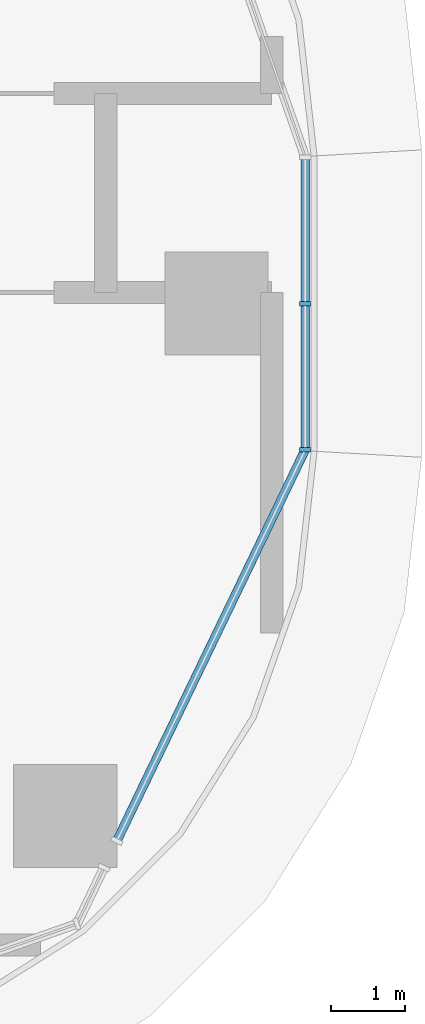
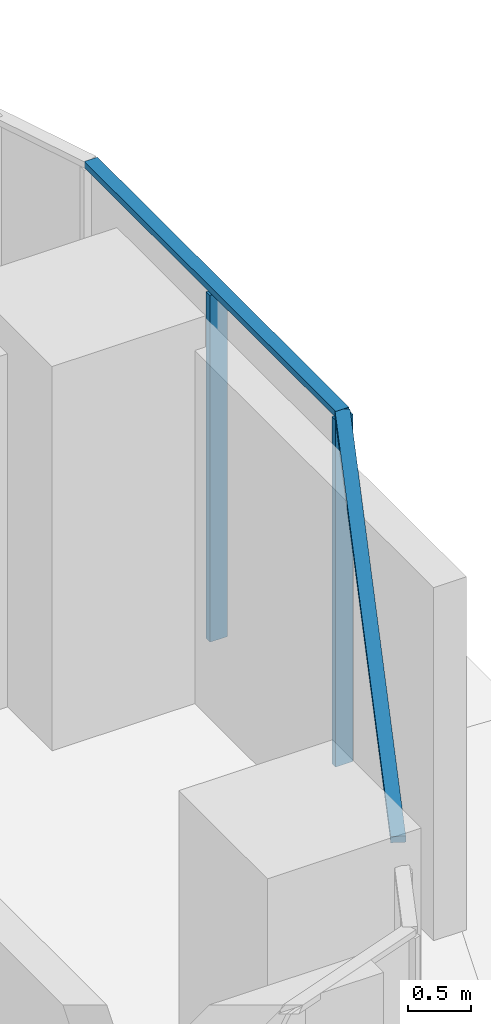
# One storey, part 7 of 39: 4 members, 2 elements without a shape of their own.
"""IFC4 building model written with IfcOpenShell, lengths in metres."""

from ifc_helpers import new_model, si_unit, direction, frame, origin, origin_2d, place, context, subcontext, project, spatial, rectangle, extrude, material, material_profile, profile_set, type_object, element, aggregate, save


model = new_model("IFC4")

# Units and contexts
model_context = context("Model", 3, precision=1e-05, world=origin(), true_north=direction((0.0, 1.0)))
body_context = subcontext(model_context, "Body", "Model", "MODEL_VIEW")
ifc_project = project(units=[si_unit("LENGTHUNIT", "METRE"), si_unit("AREAUNIT", "SQUARE_METRE"), si_unit("VOLUMEUNIT", "CUBIC_METRE"), si_unit("PLANEANGLEUNIT", "RADIAN"), si_unit("MASSUNIT", "GRAM", prefix="KILO")], contexts=[model_context])

# Site, building, storey
site_placement = place(None, origin())
site = spatial("IfcSite", under=ifc_project, at=site_placement, CompositionType="ELEMENT")
building_placement = place(site_placement, origin())
building = spatial("IfcBuilding", under=site, at=building_placement, Name="Ogive Portal Towers", CompositionType="ELEMENT")
storey_placement = place(building_placement, frame((0.0, 0.0, 44.60009765625)))
storey = spatial("IfcBuildingStorey", under=building, at=storey_placement, Name="L09", CompositionType="ELEMENT", Elevation=44.60009765625)

# Curtain wall, members
ifc_material_1 = material(Name="Glass, clear low-iron insulated glazing", Category="glass")
curtain_wall_type = type_object("IfcCurtainWallType", Name="CW FRONT RIBBON 4500", PredefinedType="NOTDEFINED", material=ifc_material_1)
curtain_wall_1_placement = place(storey_placement, origin())
curtain_wall_1 = element("IfcCurtainWall", 1, at=curtain_wall_1_placement, inside=storey, type_object=curtain_wall_type, Name="A:L09:f08:cw0", PredefinedType="NOTDEFINED")
ifc_material_2 = material(Name="Aluminium 6063 anodised", Category="aluminium")
ifc_material_profile_1 = material_profile(ifc_material_2, rectangle(XDim=0.159912109375, YDim=0.06005859375, at=origin_2d()), Name="AL 60x160")
ifc_profile_set_1 = profile_set([ifc_material_profile_1], Name="Aluminium 6063 anodised")
member_type_1 = type_object("IfcMemberType", Name="CW MULLION 60x160", PredefinedType="MULLION", material=ifc_profile_set_1)
member_1_placement = place(storey_placement, frame((95.705078125, 28.518310546875, 0.0), z_axis=(0.0, 0.0, 1.0), x_axis=(-1.0, 0.0, 0.0)))
member_1 = element("IfcMember", 2, at=member_1_placement, type_object=member_type_1, Name="mullion", PredefinedType="MULLION", context=body_context, shape_type="SweptSolid", body=[
    extrude(rectangle(XDim=0.159912109375, YDim=0.06005859375, at=origin_2d()), origin(), (0.0, 0.0, 1.0), 3.33984375),
])
member_2_placement = place(storey_placement, frame((95.705078125, 30.5, 0.0), z_axis=(0.0, 0.0, 1.0), x_axis=(-1.0, 0.0, 0.0)))
member_2 = element("IfcMember", 3, at=member_2_placement, type_object=member_type_1, Name="mullion", PredefinedType="MULLION", context=body_context, shape_type="SweptSolid", body=[
    extrude(rectangle(XDim=0.159912109375, YDim=0.06005859375, at=origin_2d()), origin(), (0.0, 0.0, 1.0), 3.33984375),
])
ifc_material_profile_2 = material_profile(ifc_material_2, rectangle(XDim=0.1201171875, YDim=0.06005859375, at=origin_2d()), Name="AL 120x60")
ifc_profile_set_2 = profile_set([ifc_material_profile_2], Name="Aluminium 6063 anodised")
member_type_2 = type_object("IfcMemberType", Name="CW TRANSOM 60x120", PredefinedType="USERDEFINED", material=ifc_profile_set_2)
member_3_placement = place(storey_placement, frame((95.705078125, 28.518310546875, 3.369873046875), z_axis=(0.0, 1.0, 0.0), x_axis=(-1.0, 0.0, 0.0)))
member_3 = element("IfcMember", 4, at=member_3_placement, type_object=member_type_2, Name="transom", ObjectType="TRANSOM", PredefinedType="USERDEFINED", context=body_context, shape_type="SweptSolid", body=[
    extrude(rectangle(XDim=0.1201171875, YDim=0.06005859375, at=origin_2d()), origin(), (0.0, 0.0, 1.0), 3.968017578125),
])
aggregate(curtain_wall_1, [member_3, member_1, member_2])

# Curtain wall, member
curtain_wall_2_placement = place(storey_placement, origin())
curtain_wall_2 = element("IfcCurtainWall", 5, at=curtain_wall_2_placement, inside=storey, type_object=curtain_wall_type, Name="A:L09:f06:cwa~1", PredefinedType="NOTDEFINED")
member_4_placement = place(storey_placement, frame((93.14990234375, 23.212646484375, 3.369873046875), z_axis=(0.433897886334, 0.900962054825, 0.0), x_axis=(-0.900962054825, 0.433897886334, 0.0)))
member_4 = element("IfcMember", 6, at=member_4_placement, type_object=member_type_2, Name="transom", ObjectType="TRANSOM", PredefinedType="USERDEFINED", context=body_context, shape_type="SweptSolid", body=[
    extrude(rectangle(XDim=0.1201171875, YDim=0.06005859375, at=origin_2d()), origin(), (0.0, 0.0, 1.0), 5.888916015625),
])
aggregate(curtain_wall_2, [member_4])

save(model, "model.ifc")
